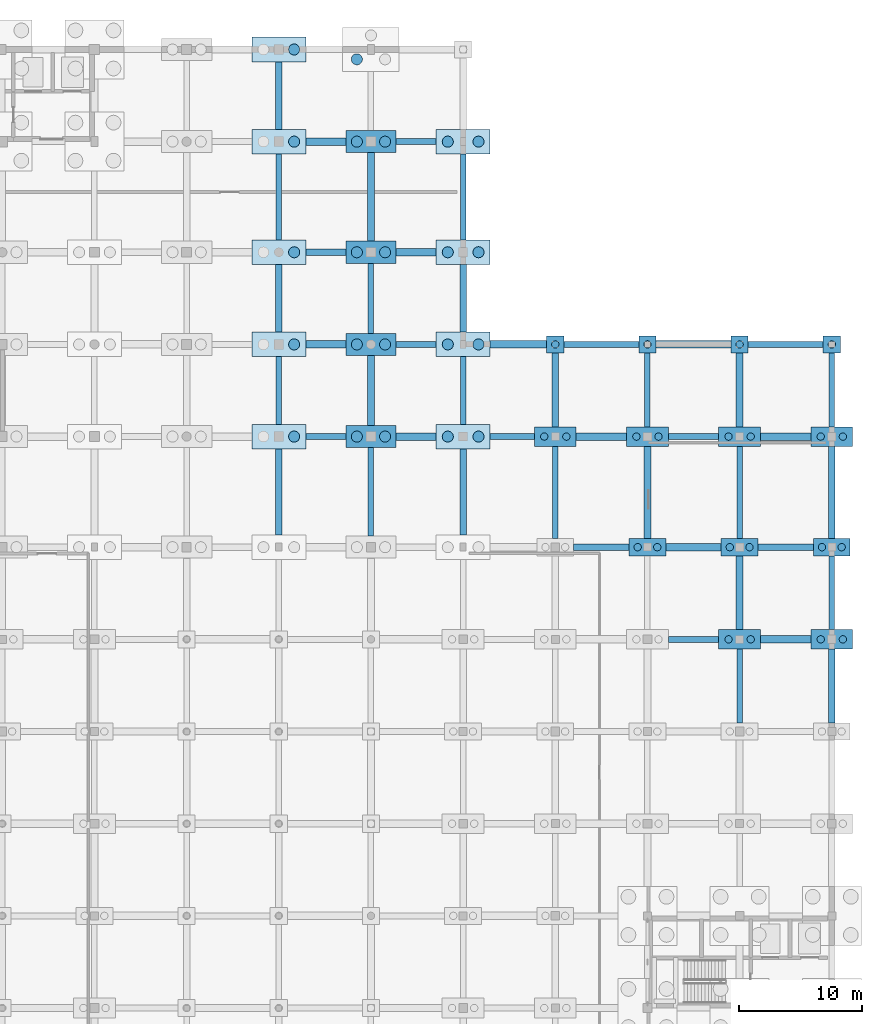
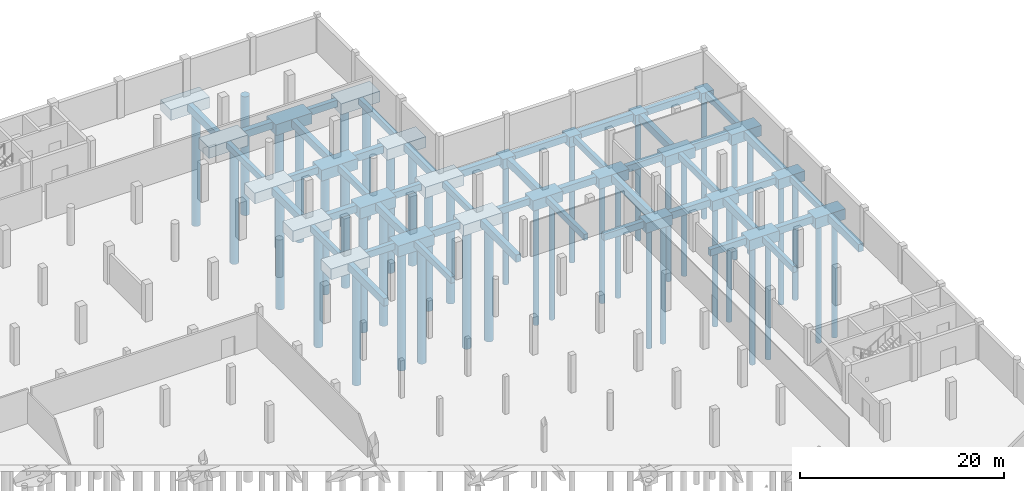
# One storey, part 14 of 42: 72 footings, 44 piles.
"""IFC4 building model written with IfcOpenShell, lengths in metres."""

import ifcopenshell
import ifcopenshell.guid

model = None  # the IFC model being written
_history = None  # IfcOwnerHistory: only IFC2X3 demands one
_inside = {}  # id of a spatial element -> (the spatial element, [elements in it])
_under = {}  # id of a project, library or spatial element -> (it, [spatial elements below it])
_declared = {}  # id of a project -> (the project, [libraries it declares])
_typed = {}  # id of a type object -> (the type object, [elements of that type])
_made_of = {}  # id of a material, layer set ... -> (it, [elements and type objects made of it])


def new_model(schema):
    """Start an empty IFC model of exactly this schema.

    Asked for "IFC4X3", IfcOpenShell would pick the latest addendum, in which some entities
    have other attributes; the version numbers below select the first issue.
    IFC2X3 requires an IfcOwnerHistory on every rooted entity: one is made here for all.
    """
    global model, _history
    if schema == "IFC4X3":
        model = ifcopenshell.file(schema_version=(4, 3, 0, 0))
    else:
        model = ifcopenshell.file(schema=schema)
    _inside.clear()
    _under.clear()
    _declared.clear()
    _typed.clear()
    _made_of.clear()
    _history = None
    if model.schema == "IFC2X3":
        org = make("IfcOrganization", Name="unknown")
        user = make(
            "IfcPersonAndOrganization",
            ThePerson=make("IfcPerson", FamilyName="unknown"),
            TheOrganization=org,
        )
        app = make(
            "IfcApplication",
            ApplicationDeveloper=org,
            Version="unknown",
            ApplicationFullName="unknown",
            ApplicationIdentifier="unknown",
        )
        _history = make(
            "IfcOwnerHistory",
            OwningUser=user,
            OwningApplication=app,
            ChangeAction="ADDED",
            CreationDate=0,
        )
    return model


def make(cls, **values):
    """One entity of the class cls with the attributes given. An attribute that is None is left unset."""
    return model.create_entity(
        cls, **{name: value for name, value in values.items() if value is not None}
    )


def rooted(cls, **values):
    """An entity with a GlobalId (a new one), such as an element, a storey or a relation."""
    return make(cls, GlobalId=ifcopenshell.guid.new(), OwnerHistory=_history, **values)


def si_unit(unit_type, name, prefix=None):
    """IfcSIUnit, for example si_unit("LENGTHUNIT", "METRE", prefix="MILLI")."""
    return make("IfcSIUnit", UnitType=unit_type, Prefix=prefix, Name=name)


def assignment(units):
    """IfcUnitAssignment: the units of a project."""
    return None if units is None else make("IfcUnitAssignment", Units=units)


def point(xyz):
    """IfcCartesianPoint."""
    return None if xyz is None else make("IfcCartesianPoint", Coordinates=xyz)


def direction(xyz):
    """IfcDirection."""
    return None if xyz is None else make("IfcDirection", DirectionRatios=xyz)


def frame(location, z_axis=None, x_axis=None):
    """IfcAxis2Placement3D, a coordinate frame: its origin and axes. An axis left out is left unset."""
    return make(
        "IfcAxis2Placement3D",
        Location=point(location),
        Axis=direction(z_axis),
        RefDirection=direction(x_axis),
    )


def frame_2d(location, x_axis=None):
    """IfcAxis2Placement2D, a coordinate frame in the plane: its origin and x axis."""
    return make(
        "IfcAxis2Placement2D", Location=point(location), RefDirection=direction(x_axis)
    )


def origin():
    """The frame at (0, 0, 0) with its axes left unset."""
    return frame((0.0, 0.0, 0.0))


def origin_2d():
    """The frame at (0, 0) in the plane with its x axis left unset."""
    return frame_2d((0.0, 0.0))


def place(relative_to, where):
    """IfcLocalPlacement: puts the frame where relative to a parent placement (None: the world)."""
    return make(
        "IfcLocalPlacement", PlacementRelTo=relative_to, RelativePlacement=where
    )


def context(
    kind, dimensions, precision=None, world=None, true_north=None, identifier=None
):
    """IfcGeometricRepresentationContext, for example the 3D "Model" context."""
    return make(
        "IfcGeometricRepresentationContext",
        ContextIdentifier=identifier,
        ContextType=kind,
        CoordinateSpaceDimension=dimensions,
        Precision=precision,
        WorldCoordinateSystem=world,
        TrueNorth=true_north,
    )


def subcontext(parent, identifier, kind, view, scale=None):
    """IfcGeometricRepresentationSubContext, for example "Body" below "Model"."""
    return make(
        "IfcGeometricRepresentationSubContext",
        ContextIdentifier=identifier,
        ContextType=kind,
        ParentContext=parent,
        TargetScale=scale,
        TargetView=view,
    )


def project(units=None, contexts=None):
    """IfcProject with its units and contexts."""
    return rooted(
        "IfcProject",
        Name="project",
        RepresentationContexts=contexts,
        UnitsInContext=assignment(units),
    )


def spatial(cls, under=None, at=None, **own):
    """A site, building, storey or space (cls), placed at a placement, below another one or the project."""
    s = rooted(cls, ObjectPlacement=at, **own)
    if under is not None:
        _under.setdefault(under.id(), (under, []))[1].append(s)
    return s


def profile(cls, at=None, kind="AREA", **sizes):
    """A parametric profile (cls). Its sizes go by their IFC names, for example OverallWidth=200.0."""
    return make(cls, ProfileType=kind, Position=at, **sizes)


def rectangle(**sizes):
    """IfcRectangleProfileDef."""
    return profile("IfcRectangleProfileDef", **sizes)


def circle(**sizes):
    """IfcCircleProfileDef."""
    return profile("IfcCircleProfileDef", **sizes)


def extrude(swept, where, along, depth):
    """IfcExtrudedAreaSolid: the profile swept, set in the frame where, extruded along a direction by depth."""
    return make(
        "IfcExtrudedAreaSolid",
        SweptArea=swept,
        Position=where,
        ExtrudedDirection=direction(along),
        Depth=depth,
    )


def shape(context_of_items, identifier, shape_type, items):
    """IfcShapeRepresentation: the items that make up one representation, for example the "Body"."""
    return make(
        "IfcShapeRepresentation",
        ContextOfItems=context_of_items,
        RepresentationIdentifier=identifier,
        RepresentationType=shape_type,
        Items=items,
    )


def material(Name=None, Category=None):
    """IfcMaterial."""
    return make("IfcMaterial", Name=Name, Category=Category)


def material_profile(
    of_material, cross_section, Name=None, Category=None, Priority=None
):
    """IfcMaterialProfile: a cross section and its material."""
    return make(
        "IfcMaterialProfile",
        Name=Name,
        Material=of_material,
        Profile=cross_section,
        Priority=Priority,
        Category=Category,
    )


def profile_set(profiles, Name=None, composite=None):
    """IfcMaterialProfileSet."""
    return make(
        "IfcMaterialProfileSet",
        Name=Name,
        MaterialProfiles=profiles,
        CompositeProfile=composite,
    )


def made_of(thing, what):
    """Note that an element or type object is made of a material, layer set ...; save() writes the relation."""
    if what is not None:
        _made_of.setdefault(what.id(), (what, []))[1].append(thing)
    return thing


def type_object(cls, material=None, **own):
    """A type object (cls), such as IfcWallType, which elements share."""
    return made_of(rooted(cls, **own), material)


def element(
    cls,
    number,
    at=None,
    inside=None,
    cuts=None,
    type_object=None,
    material=None,
    context=None,
    identifier="Body",
    shape_type=None,
    held_by="IfcProductDefinitionShape",
    body=None,
    shapes=None,
    **own,
):
    """One element of the class cls, such as IfcWall. Its Tag is "e" and its number.

    at: its placement. inside: the storey or other place that contains it. cuts: it is an
    opening in that element (IfcRelVoidsElement). A single representation is given by context,
    identifier, shape_type and body (its items); several are given by shapes. held_by: the class
    of the entity that holds the representations. save() writes the other relations.
    """
    e = rooted(cls, Tag="e%d" % number, ObjectPlacement=at, **own)
    if body is not None:
        shapes = [shape(context, identifier, shape_type, body)]
    if shapes is not None:
        e.Representation = make(held_by, Representations=shapes)
    if inside is not None:
        _inside.setdefault(inside.id(), (inside, []))[1].append(e)
    if cuts is not None:
        rooted(
            "IfcRelVoidsElement", RelatingBuildingElement=cuts, RelatedOpeningElement=e
        )
    if type_object is not None:
        _typed.setdefault(type_object.id(), (type_object, []))[1].append(e)
    return made_of(e, material)


def aggregate(whole, parts):
    """IfcRelAggregates: a whole, such as a stair, and the parts it consists of."""
    return rooted("IfcRelAggregates", RelatingObject=whole, RelatedObjects=parts)


def save(model, path):
    """Write the relations noted so far, then the file.

    IfcRelAggregates (storeys below a building ...), IfcRelContainedInSpatialStructure (elements
    in a storey), IfcRelDefinesByType, IfcRelAssociatesMaterial and IfcRelDeclares: one each for
    every whole, place, type object, material and project.
    """
    for whole, parts in _under.values():
        aggregate(whole, parts)
    for where, things in _inside.values():
        rooted(
            "IfcRelContainedInSpatialStructure",
            RelatedElements=things,
            RelatingStructure=where,
        )
    for kind, things in _typed.values():
        rooted("IfcRelDefinesByType", RelatedObjects=things, RelatingType=kind)
    for what, things in _made_of.values():
        rooted("IfcRelAssociatesMaterial", RelatedObjects=things, RelatingMaterial=what)
    for by, libraries in _declared.values():
        rooted("IfcRelDeclares", RelatingContext=by, RelatedDefinitions=libraries)
    model.write(path)


model = new_model("IFC4")

# Units and contexts
model_context = context("Model", 3, precision=1e-05, world=origin(), true_north=direction((0.0, 1.0)))
body_context = subcontext(model_context, "Body", "Model", "MODEL_VIEW")
ifc_project = project(units=[si_unit("LENGTHUNIT", "METRE"), si_unit("AREAUNIT", "SQUARE_METRE"), si_unit("VOLUMEUNIT", "CUBIC_METRE"), si_unit("PLANEANGLEUNIT", "RADIAN"), si_unit("MASSUNIT", "GRAM", prefix="KILO")], contexts=[model_context])

# Site, building, storey
site_placement = place(None, origin())
site = spatial("IfcSite", under=ifc_project, at=site_placement, CompositionType="ELEMENT")
building_placement = place(site_placement, origin())
building = spatial("IfcBuilding", under=site, at=building_placement, Name="Dalvernix Boulevard General Hospital", CompositionType="ELEMENT")
storey_placement = place(building_placement, frame((0.0, 0.0, -4.5)))
storey = spatial("IfcBuildingStorey", under=building, at=storey_placement, Name="B1", CompositionType="ELEMENT", Elevation=-4.5)

# Footings
ifc_material_1 = material(Name="Concrete C35/45", Category="concrete")
footing_type_1 = type_object("IfcFootingType", Name="FTG-GB-01", PredefinedType="FOOTING_BEAM", material=ifc_material_1)
footing_1_placement = place(storey_placement, frame((161.25, 69.0, -1.2998046875), z_axis=(0.0, 0.0, 1.0), x_axis=(1.0, 0.0, 0.0)))
element("IfcFooting", 1, at=footing_1_placement, inside=storey, type_object=footing_type_1, Name="Ground beam K:22-23", PredefinedType="FOOTING_BEAM", context=body_context, shape_type="SweptSolid", body=[
    extrude(rectangle(XDim=4.10009765625, YDim=0.5, at=origin_2d()), origin(), (0.0, 0.0, 1.0), 0.800048828125),
])
for number, where, z_axis, x_axis, name in (
    (2, (153.75, 76.5, -1.2998046875), (0.0, 0.0, 1.0), (1.0, 0.0, 0.0), "Ground beam L:21-22"),
    (3, (168.75, 76.5, -1.2998046875), (0.0, 0.0, 1.0), (1.0, 0.0, 0.0), "Ground beam L:23-24"),
):
    element("IfcFooting", number, at=place(storey_placement, frame(where, z_axis=z_axis, x_axis=x_axis)), inside=storey, type_object=footing_type_1, Name=name, PredefinedType="FOOTING_BEAM", context=body_context, shape_type="SweptSolid", body=[
        extrude(rectangle(XDim=4.5, YDim=0.5, at=origin_2d()), origin(), (0.0, 0.0, 1.0), 0.800048828125),
    ])
footing_2_placement = place(storey_placement, frame((131.324951171875, 85.5, -1.2998046875), z_axis=(0.0, 0.0, 1.0), x_axis=(1.0, 0.0, 0.0)))
element("IfcFooting", 4, at=footing_2_placement, inside=storey, type_object=footing_type_1, Name="Ground beam M:18-19", PredefinedType="FOOTING_BEAM", context=body_context, shape_type="SweptSolid", body=[
    extrude(rectangle(XDim=3.25, YDim=0.5, at=origin_2d()), origin(), (0.0, 0.0, 1.0), 0.800048828125),
])
footing_3_placement = place(storey_placement, frame((146.5, 85.5, -1.2998046875), z_axis=(0.0, 0.0, 1.0), x_axis=(1.0, 0.0, 0.0)))
element("IfcFooting", 5, at=footing_3_placement, inside=storey, type_object=footing_type_1, Name="Ground beam M:20-21", PredefinedType="FOOTING_BEAM", context=body_context, shape_type="SweptSolid", body=[
    extrude(rectangle(XDim=3.60009765625, YDim=0.5, at=origin_2d()), origin(), (0.0, 0.0, 1.0), 0.800048828125),
])
footing_4_placement = place(storey_placement, frame((161.25, 85.5, -1.2998046875), z_axis=(0.0, 0.0, 1.0), x_axis=(1.0, 0.0, 0.0)))
element("IfcFooting", 6, at=footing_4_placement, inside=storey, type_object=footing_type_1, Name="Ground beam M:22-23", PredefinedType="FOOTING_BEAM", context=body_context, shape_type="SweptSolid", body=[
    extrude(rectangle(XDim=4.10009765625, YDim=0.5, at=origin_2d()), origin(), (0.0, 0.0, 1.0), 0.800048828125),
])
footing_5_placement = place(storey_placement, frame((138.675048828125, 93.0, -1.2998046875), z_axis=(0.0, 0.0, 1.0), x_axis=(1.0, 0.0, 0.0)))
element("IfcFooting", 7, at=footing_5_placement, inside=storey, type_object=footing_type_1, Name="Ground beam N:19-20", PredefinedType="FOOTING_BEAM", context=body_context, shape_type="SweptSolid", body=[
    extrude(rectangle(XDim=3.25, YDim=0.5, at=origin_2d()), origin(), (0.0, 0.0, 1.0), 0.800048828125),
])
for number, where, z_axis, x_axis, name in (
    (8, (153.75, 93.0, -1.2998046875), (0.0, 0.0, 1.0), (1.0, 0.0, 0.0), "Ground beam N:21-22"),
    (9, (168.75, 93.0, -1.2998046875), (0.0, 0.0, 1.0), (1.0, 0.0, 0.0), "Ground beam N:23-24"),
):
    element("IfcFooting", number, at=place(storey_placement, frame(where, z_axis=z_axis, x_axis=x_axis)), inside=storey, type_object=footing_type_1, Name=name, PredefinedType="FOOTING_BEAM", context=body_context, shape_type="SweptSolid", body=[
        extrude(rectangle(XDim=6.10009765625, YDim=0.5, at=origin_2d()), origin(), (0.0, 0.0, 1.0), 0.800048828125),
    ])
for number, where, z_axis, x_axis, name in (
    (10, (131.324951171875, 100.5, -1.2998046875), (0.0, 0.0, 1.0), (1.0, 0.0, 0.0), "Ground beam P:18-19"),
    (11, (138.675048828125, 109.5, -1.2998046875), (0.0, 0.0, 1.0), (1.0, 0.0, 0.0), "Ground beam Q:19-20"),
):
    element("IfcFooting", number, at=place(storey_placement, frame(where, z_axis=z_axis, x_axis=x_axis)), inside=storey, type_object=footing_type_1, Name=name, PredefinedType="FOOTING_BEAM", context=body_context, shape_type="SweptSolid", body=[
        extrude(rectangle(XDim=3.25, YDim=0.5, at=origin_2d()), origin(), (0.0, 0.0, 1.0), 0.800048828125),
    ])
footing_type_2 = type_object("IfcFootingType", Name="FTG-GB-02", PredefinedType="FOOTING_BEAM", material=ifc_material_1)
footing_6_placement = place(storey_placement, frame((168.75, 69.0, -1.35009765625), z_axis=(0.0, 0.0, 1.0), x_axis=(1.0, 0.0, 0.0)))
element("IfcFooting", 12, at=footing_6_placement, inside=storey, type_object=footing_type_2, Name="Ground beam K:23-24", PredefinedType="FOOTING_BEAM", context=body_context, shape_type="SweptSolid", body=[
    extrude(rectangle(XDim=4.10009765625, YDim=0.60009765625, at=origin_2d()), origin(), (0.0, 0.0, 1.0), 0.85009765625),
])
footing_7_placement = place(storey_placement, frame((161.25, 76.5, -1.35009765625), z_axis=(0.0, 0.0, 1.0), x_axis=(1.0, 0.0, 0.0)))
element("IfcFooting", 13, at=footing_7_placement, inside=storey, type_object=footing_type_2, Name="Ground beam L:22-23", PredefinedType="FOOTING_BEAM", context=body_context, shape_type="SweptSolid", body=[
    extrude(rectangle(XDim=4.5, YDim=0.60009765625, at=origin_2d()), origin(), (0.0, 0.0, 1.0), 0.85009765625),
])
footing_8_placement = place(storey_placement, frame((138.675048828125, 85.5, -1.35009765625), z_axis=(0.0, 0.0, 1.0), x_axis=(1.0, 0.0, 0.0)))
element("IfcFooting", 14, at=footing_8_placement, inside=storey, type_object=footing_type_2, Name="Ground beam M:19-20", PredefinedType="FOOTING_BEAM", context=body_context, shape_type="SweptSolid", body=[
    extrude(rectangle(XDim=3.25, YDim=0.60009765625, at=origin_2d()), origin(), (0.0, 0.0, 1.0), 0.85009765625),
])
for number, where, z_axis, x_axis, name in (
    (15, (153.75, 85.5, -1.35009765625), (0.0, 0.0, 1.0), (1.0, 0.0, 0.0), "Ground beam M:21-22"),
    (16, (168.75, 85.5, -1.35009765625), (0.0, 0.0, 1.0), (1.0, 0.0, 0.0), "Ground beam M:23-24"),
):
    element("IfcFooting", number, at=place(storey_placement, frame(where, z_axis=z_axis, x_axis=x_axis)), inside=storey, type_object=footing_type_2, Name=name, PredefinedType="FOOTING_BEAM", context=body_context, shape_type="SweptSolid", body=[
        extrude(rectangle(XDim=4.10009765625, YDim=0.60009765625, at=origin_2d()), origin(), (0.0, 0.0, 1.0), 0.85009765625),
    ])
footing_9_placement = place(storey_placement, frame((131.324951171875, 93.0, -1.35009765625), z_axis=(0.0, 0.0, 1.0), x_axis=(1.0, 0.0, 0.0)))
element("IfcFooting", 17, at=footing_9_placement, inside=storey, type_object=footing_type_2, Name="Ground beam N:18-19", PredefinedType="FOOTING_BEAM", context=body_context, shape_type="SweptSolid", body=[
    extrude(rectangle(XDim=3.25, YDim=0.60009765625, at=origin_2d()), origin(), (0.0, 0.0, 1.0), 0.85009765625),
])
footing_10_placement = place(storey_placement, frame((147.0, 93.0, -1.35009765625), z_axis=(0.0, 0.0, 1.0), x_axis=(1.0, 0.0, 0.0)))
element("IfcFooting", 18, at=footing_10_placement, inside=storey, type_object=footing_type_2, Name="Ground beam N:20-21", PredefinedType="FOOTING_BEAM", context=body_context, shape_type="SweptSolid", body=[
    extrude(rectangle(XDim=4.60009765625, YDim=0.60009765625, at=origin_2d()), origin(), (0.0, 0.0, 1.0), 0.85009765625),
])
footing_11_placement = place(storey_placement, frame((161.25, 93.0, -1.35009765625), z_axis=(0.0, 0.0, 1.0), x_axis=(1.0, 0.0, 0.0)))
element("IfcFooting", 19, at=footing_11_placement, inside=storey, type_object=footing_type_2, Name="Ground beam N:22-23", PredefinedType="FOOTING_BEAM", context=body_context, shape_type="SweptSolid", body=[
    extrude(rectangle(XDim=6.10009765625, YDim=0.60009765625, at=origin_2d()), origin(), (0.0, 0.0, 1.0), 0.85009765625),
])
for number, where, z_axis, x_axis, name in (
    (20, (138.675048828125, 100.5, -1.35009765625), (0.0, 0.0, 1.0), (1.0, 0.0, 0.0), "Ground beam P:19-20"),
    (21, (131.324951171875, 109.5, -1.35009765625), (0.0, 0.0, 1.0), (1.0, 0.0, 0.0), "Ground beam Q:18-19"),
):
    element("IfcFooting", number, at=place(storey_placement, frame(where, z_axis=z_axis, x_axis=x_axis)), inside=storey, type_object=footing_type_2, Name=name, PredefinedType="FOOTING_BEAM", context=body_context, shape_type="SweptSolid", body=[
        extrude(rectangle(XDim=3.25, YDim=0.60009765625, at=origin_2d()), origin(), (0.0, 0.0, 1.0), 0.85009765625),
    ])
footing_type_3 = type_object("IfcFootingType", Name="FTG-GB-03", PredefinedType="FOOTING_BEAM", material=ifc_material_1)
footing_12_placement = place(storey_placement, frame((127.5, 89.25, -1.25), z_axis=(0.0, 0.0, 1.0), x_axis=(0.0, 1.0, 0.0)))
element("IfcFooting", 22, at=footing_12_placement, inside=storey, type_object=footing_type_3, Name="Ground beam 18:M-N", PredefinedType="FOOTING_BEAM", context=body_context, shape_type="SweptSolid", body=[
    extrude(rectangle(XDim=5.5, YDim=0.449951171875, at=origin_2d()), origin(), (0.0, 0.0, 1.0), 0.75),
])
footing_13_placement = place(storey_placement, frame((127.5, 105.0, -1.25), z_axis=(0.0, 0.0, 1.0), x_axis=(0.0, 1.0, 0.0)))
element("IfcFooting", 23, at=footing_13_placement, inside=storey, type_object=footing_type_3, Name="Ground beam 18:P-Q", PredefinedType="FOOTING_BEAM", context=body_context, shape_type="SweptSolid", body=[
    extrude(rectangle(XDim=7.0, YDim=0.449951171875, at=origin_2d()), origin(), (0.0, 0.0, 1.0), 0.75),
])
footing_14_placement = place(storey_placement, frame((135.0, 81.0, -1.25), z_axis=(0.0, 0.0, 1.0), x_axis=(0.0, 1.0, 0.0)))
element("IfcFooting", 24, at=footing_14_placement, inside=storey, type_object=footing_type_3, Name="Ground beam 19:L-M", PredefinedType="FOOTING_BEAM", context=body_context, shape_type="SweptSolid", body=[
    extrude(rectangle(XDim=7.199951171875, YDim=0.449951171875, at=origin_2d()), origin(), (0.0, 0.0, 1.0), 0.75),
])
footing_15_placement = place(storey_placement, frame((135.0, 96.75, -1.25), z_axis=(0.0, 0.0, 1.0), x_axis=(0.0, 1.0, 0.0)))
element("IfcFooting", 25, at=footing_15_placement, inside=storey, type_object=footing_type_3, Name="Ground beam 19:N-P", PredefinedType="FOOTING_BEAM", context=body_context, shape_type="SweptSolid", body=[
    extrude(rectangle(XDim=5.699951171875, YDim=0.449951171875, at=origin_2d()), origin(), (0.0, 0.0, 1.0), 0.75),
])
footing_16_placement = place(storey_placement, frame((142.5, 89.25, -1.25), z_axis=(0.0, 0.0, 1.0), x_axis=(0.0, 1.0, 0.0)))
element("IfcFooting", 26, at=footing_16_placement, inside=storey, type_object=footing_type_3, Name="Ground beam 20:M-N", PredefinedType="FOOTING_BEAM", context=body_context, shape_type="SweptSolid", body=[
    extrude(rectangle(XDim=5.5, YDim=0.449951171875, at=origin_2d()), origin(), (0.0, 0.0, 1.0), 0.75),
])
footing_17_placement = place(storey_placement, frame((142.5, 105.0, -1.25), z_axis=(0.0, 0.0, 1.0), x_axis=(0.0, 1.0, 0.0)))
element("IfcFooting", 27, at=footing_17_placement, inside=storey, type_object=footing_type_3, Name="Ground beam 20:P-Q", PredefinedType="FOOTING_BEAM", context=body_context, shape_type="SweptSolid", body=[
    extrude(rectangle(XDim=7.0, YDim=0.449951171875, at=origin_2d()), origin(), (0.0, 0.0, 1.0), 0.75),
])
footing_18_placement = place(storey_placement, frame((150.0, 80.949951171875, -1.25), z_axis=(0.0, 0.0, 1.0), x_axis=(0.0, 1.0, 0.0)))
element("IfcFooting", 28, at=footing_18_placement, inside=storey, type_object=footing_type_3, Name="Ground beam 21:L-M", PredefinedType="FOOTING_BEAM", context=body_context, shape_type="SweptSolid", body=[
    extrude(rectangle(XDim=7.5, YDim=0.449951171875, at=origin_2d()), origin(), (0.0, 0.0, 1.0), 0.75),
])
for number, where, z_axis, x_axis, name in (
    (29, (157.5, 89.300048828125, -1.25), (0.0, 0.0, 1.0), (0.0, 1.0, 0.0), "Ground beam 22:M-N"),
    (30, (165.0, 65.199951171875, -1.25), (0.0, 0.0, 1.0), (0.0, 1.0, 0.0), "Ground beam 23:J-K"),
):
    element("IfcFooting", number, at=place(storey_placement, frame(where, z_axis=z_axis, x_axis=x_axis)), inside=storey, type_object=footing_type_3, Name=name, PredefinedType="FOOTING_BEAM", context=body_context, shape_type="SweptSolid", body=[
        extrude(rectangle(XDim=6.0, YDim=0.449951171875, at=origin_2d()), origin(), (0.0, 0.0, 1.0), 0.75),
    ])
footing_19_placement = place(storey_placement, frame((165.0, 80.949951171875, -1.25), z_axis=(0.0, 0.0, 1.0), x_axis=(0.0, 1.0, 0.0)))
element("IfcFooting", 31, at=footing_19_placement, inside=storey, type_object=footing_type_3, Name="Ground beam 23:L-M", PredefinedType="FOOTING_BEAM", context=body_context, shape_type="SweptSolid", body=[
    extrude(rectangle(XDim=7.5, YDim=0.449951171875, at=origin_2d()), origin(), (0.0, 0.0, 1.0), 0.75),
])
for number, where, z_axis, x_axis, name in (
    (32, (172.5, 72.800048828125, -1.25), (0.0, 0.0, 1.0), (0.0, 1.0, 0.0), "Ground beam 24:K-L"),
    (33, (172.5, 89.300048828125, -1.25), (0.0, 0.0, 1.0), (0.0, 1.0, 0.0), "Ground beam 24:M-N"),
):
    element("IfcFooting", number, at=place(storey_placement, frame(where, z_axis=z_axis, x_axis=x_axis)), inside=storey, type_object=footing_type_3, Name=name, PredefinedType="FOOTING_BEAM", context=body_context, shape_type="SweptSolid", body=[
        extrude(rectangle(XDim=6.0, YDim=0.449951171875, at=origin_2d()), origin(), (0.0, 0.0, 1.0), 0.75),
    ])
footing_type_4 = type_object("IfcFootingType", Name="FTG-GB-04", PredefinedType="FOOTING_BEAM", material=ifc_material_1)
footing_20_placement = place(storey_placement, frame((127.5, 81.0, -1.39990234375), z_axis=(0.0, 0.0, 1.0), x_axis=(0.0, 1.0, 0.0)))
element("IfcFooting", 34, at=footing_20_placement, inside=storey, type_object=footing_type_4, Name="Ground beam 18:L-M", PredefinedType="FOOTING_BEAM", context=body_context, shape_type="SweptSolid", body=[
    extrude(rectangle(XDim=7.0, YDim=0.550048828125, at=origin_2d()), origin(), (0.0, 0.0, 1.0), 0.89990234375),
])
for number, where, z_axis, x_axis, name in (
    (35, (127.5, 96.75, -1.39990234375), (0.0, 0.0, 1.0), (0.0, 1.0, 0.0), "Ground beam 18:N-P"),
    (36, (127.5, 113.25, -1.39990234375), (0.0, 0.0, 1.0), (0.0, 1.0, 0.0), "Ground beam 18:Q-R"),
):
    element("IfcFooting", number, at=place(storey_placement, frame(where, z_axis=z_axis, x_axis=x_axis)), inside=storey, type_object=footing_type_4, Name=name, PredefinedType="FOOTING_BEAM", context=body_context, shape_type="SweptSolid", body=[
        extrude(rectangle(XDim=5.5, YDim=0.550048828125, at=origin_2d()), origin(), (0.0, 0.0, 1.0), 0.89990234375),
    ])
footing_21_placement = place(storey_placement, frame((135.0, 89.25, -1.39990234375), z_axis=(0.0, 0.0, 1.0), x_axis=(0.0, 1.0, 0.0)))
element("IfcFooting", 37, at=footing_21_placement, inside=storey, type_object=footing_type_4, Name="Ground beam 19:M-N", PredefinedType="FOOTING_BEAM", context=body_context, shape_type="SweptSolid", body=[
    extrude(rectangle(XDim=5.699951171875, YDim=0.550048828125, at=origin_2d()), origin(), (0.0, 0.0, 1.0), 0.89990234375),
])
footing_22_placement = place(storey_placement, frame((135.0, 105.0, -1.39990234375), z_axis=(0.0, 0.0, 1.0), x_axis=(0.0, 1.0, 0.0)))
element("IfcFooting", 38, at=footing_22_placement, inside=storey, type_object=footing_type_4, Name="Ground beam 19:P-Q", PredefinedType="FOOTING_BEAM", context=body_context, shape_type="SweptSolid", body=[
    extrude(rectangle(XDim=7.199951171875, YDim=0.550048828125, at=origin_2d()), origin(), (0.0, 0.0, 1.0), 0.89990234375),
])
footing_23_placement = place(storey_placement, frame((142.5, 81.0, -1.39990234375), z_axis=(0.0, 0.0, 1.0), x_axis=(0.0, 1.0, 0.0)))
element("IfcFooting", 39, at=footing_23_placement, inside=storey, type_object=footing_type_4, Name="Ground beam 20:L-M", PredefinedType="FOOTING_BEAM", context=body_context, shape_type="SweptSolid", body=[
    extrude(rectangle(XDim=7.0, YDim=0.550048828125, at=origin_2d()), origin(), (0.0, 0.0, 1.0), 0.89990234375),
])
footing_24_placement = place(storey_placement, frame((142.5, 96.75, -1.39990234375), z_axis=(0.0, 0.0, 1.0), x_axis=(0.0, 1.0, 0.0)))
element("IfcFooting", 40, at=footing_24_placement, inside=storey, type_object=footing_type_4, Name="Ground beam 20:N-P", PredefinedType="FOOTING_BEAM", context=body_context, shape_type="SweptSolid", body=[
    extrude(rectangle(XDim=5.5, YDim=0.550048828125, at=origin_2d()), origin(), (0.0, 0.0, 1.0), 0.89990234375),
])
footing_25_placement = place(storey_placement, frame((150.0, 89.300048828125, -1.39990234375), z_axis=(0.0, 0.0, 1.0), x_axis=(0.0, 1.0, 0.0)))
element("IfcFooting", 41, at=footing_25_placement, inside=storey, type_object=footing_type_4, Name="Ground beam 21:M-N", PredefinedType="FOOTING_BEAM", context=body_context, shape_type="SweptSolid", body=[
    extrude(rectangle(XDim=6.0, YDim=0.550048828125, at=origin_2d()), origin(), (0.0, 0.0, 1.0), 0.89990234375),
])
footing_26_placement = place(storey_placement, frame((157.5, 80.949951171875, -1.39990234375), z_axis=(0.0, 0.0, 1.0), x_axis=(0.0, 1.0, 0.0)))
element("IfcFooting", 42, at=footing_26_placement, inside=storey, type_object=footing_type_4, Name="Ground beam 22:L-M", PredefinedType="FOOTING_BEAM", context=body_context, shape_type="SweptSolid", body=[
    extrude(rectangle(XDim=7.5, YDim=0.550048828125, at=origin_2d()), origin(), (0.0, 0.0, 1.0), 0.89990234375),
])
for number, where, z_axis, x_axis, name in (
    (43, (165.0, 72.800048828125, -1.39990234375), (0.0, 0.0, 1.0), (0.0, 1.0, 0.0), "Ground beam 23:K-L"),
    (44, (165.0, 89.300048828125, -1.39990234375), (0.0, 0.0, 1.0), (0.0, 1.0, 0.0), "Ground beam 23:M-N"),
    (45, (172.5, 65.199951171875, -1.39990234375), (0.0, 0.0, 1.0), (0.0, 1.0, 0.0), "Ground beam 24:J-K"),
):
    element("IfcFooting", number, at=place(storey_placement, frame(where, z_axis=z_axis, x_axis=x_axis)), inside=storey, type_object=footing_type_4, Name=name, PredefinedType="FOOTING_BEAM", context=body_context, shape_type="SweptSolid", body=[
        extrude(rectangle(XDim=6.0, YDim=0.550048828125, at=origin_2d()), origin(), (0.0, 0.0, 1.0), 0.89990234375),
    ])
footing_27_placement = place(storey_placement, frame((172.5, 80.949951171875, -1.39990234375), z_axis=(0.0, 0.0, 1.0), x_axis=(0.0, 1.0, 0.0)))
element("IfcFooting", 46, at=footing_27_placement, inside=storey, type_object=footing_type_4, Name="Ground beam 24:L-M", PredefinedType="FOOTING_BEAM", context=body_context, shape_type="SweptSolid", body=[
    extrude(rectangle(XDim=7.5, YDim=0.550048828125, at=origin_2d()), origin(), (0.0, 0.0, 1.0), 0.89990234375),
])
ifc_material_2 = material(Name="Concrete C40/50", Category="concrete")
footing_type_5 = type_object("IfcFootingType", Name="FTG-PC-01", PredefinedType="PILE_CAP", material=ifc_material_2)
for number, where, z_axis, x_axis, name in (
    (47, (150.0, 93.0, -1.7001953125), (0.0, 0.0, 1.0), (1.0, 0.0, 0.0), "Pile cap 21N"),
    (48, (157.5, 93.0, -1.7001953125), (0.0, 0.0, 1.0), (1.0, 0.0, 0.0), "Pile cap 22N"),
    (49, (165.0, 93.0, -1.7001953125), (0.0, 0.0, 1.0), (1.0, 0.0, 0.0), "Pile cap 23N"),
    (50, (172.5, 93.0, -1.7001953125), (0.0, 0.0, 1.0), (1.0, 0.0, 0.0), "Pile cap 24N"),
):
    element("IfcFooting", number, at=place(storey_placement, frame(where, z_axis=z_axis, x_axis=x_axis)), inside=storey, type_object=footing_type_5, Name=name, PredefinedType="PILE_CAP", context=body_context, shape_type="SweptSolid", body=[
        extrude(rectangle(XDim=1.39990234375, YDim=1.39990234375, at=origin_2d()), origin(), (0.0, 0.0, 1.0), 1.199951171875),
    ])
footing_type_6 = type_object("IfcFootingType", Name="FTG-PC-02", PredefinedType="PILE_CAP", material=ifc_material_2)
for number, where, z_axis, x_axis, name in (
    (51, (157.5, 76.5, -1.7001953125), (0.0, 0.0, 1.0), (1.0, 0.0, 0.0), "Pile cap 22L"),
    (52, (165.0, 76.5, -1.7001953125), (0.0, 0.0, 1.0), (1.0, 0.0, 0.0), "Pile cap 23L"),
    (53, (172.5, 76.5, -1.7001953125), (0.0, 0.0, 1.0), (1.0, 0.0, 0.0), "Pile cap 24L"),
):
    element("IfcFooting", number, at=place(storey_placement, frame(where, z_axis=z_axis, x_axis=x_axis)), inside=storey, type_object=footing_type_6, Name=name, PredefinedType="PILE_CAP", context=body_context, shape_type="SweptSolid", body=[
        extrude(rectangle(XDim=3.0, YDim=1.39990234375, at=origin_2d()), origin(), (0.0, 0.0, 1.0), 1.199951171875),
    ])
footing_type_7 = type_object("IfcFootingType", Name="FTG-PC-03", PredefinedType="PILE_CAP", material=ifc_material_2)
for number, where, z_axis, x_axis, name in (
    (54, (150.0, 85.5, -1.75), (0.0, 0.0, 1.0), (1.0, 0.0, 0.0), "Pile cap 21M"),
    (55, (157.5, 85.5, -1.75), (0.0, 0.0, 1.0), (1.0, 0.0, 0.0), "Pile cap 22M"),
    (56, (165.0, 69.0, -1.75), (0.0, 0.0, 1.0), (1.0, 0.0, 0.0), "Pile cap 23K"),
    (57, (165.0, 85.5, -1.75), (0.0, 0.0, 1.0), (1.0, 0.0, 0.0), "Pile cap 23M"),
    (58, (172.5, 69.0, -1.75), (0.0, 0.0, 1.0), (1.0, 0.0, 0.0), "Pile cap 24K"),
    (59, (172.5, 85.5, -1.75), (0.0, 0.0, 1.0), (1.0, 0.0, 0.0), "Pile cap 24M"),
):
    element("IfcFooting", number, at=place(storey_placement, frame(where, z_axis=z_axis, x_axis=x_axis)), inside=storey, type_object=footing_type_7, Name=name, PredefinedType="PILE_CAP", context=body_context, shape_type="SweptSolid", body=[
        extrude(rectangle(XDim=3.39990234375, YDim=1.60009765625, at=origin_2d()), origin(), (0.0, 0.0, 1.0), 1.25),
    ])
footing_type_8 = type_object("IfcFootingType", Name="FTG-PC-04", PredefinedType="PILE_CAP", material=ifc_material_2)
for number, where, z_axis, x_axis, name in (
    (60, (135.0, 85.5, -1.7998046875), (0.0, 0.0, 1.0), (1.0, 0.0, 0.0), "Pile cap 19M"),
    (61, (135.0, 93.0, -1.7998046875), (0.0, 0.0, 1.0), (1.0, 0.0, 0.0), "Pile cap 19N"),
    (62, (135.0, 100.5, -1.7998046875), (0.0, 0.0, 1.0), (1.0, 0.0, 0.0), "Pile cap 19P"),
    (63, (135.0, 109.5, -1.7998046875), (0.0, 0.0, 1.0), (1.0, 0.0, 0.0), "Pile cap 19Q"),
):
    element("IfcFooting", number, at=place(storey_placement, frame(where, z_axis=z_axis, x_axis=x_axis)), inside=storey, type_object=footing_type_8, Name=name, PredefinedType="PILE_CAP", context=body_context, shape_type="SweptSolid", body=[
        extrude(rectangle(XDim=4.10009765625, YDim=1.800048828125, at=origin_2d()), origin(), (0.0, 0.0, 1.0), 1.300048828125),
    ])
footing_type_9 = type_object("IfcFootingType", Name="FTG-PC-05", PredefinedType="PILE_CAP", material=ifc_material_2)
for number, where, z_axis, x_axis, name in (
    (64, (127.5, 85.5, -1.7998046875), (0.0, 0.0, 1.0), (1.0, 0.0, 0.0), "Pile cap 18M"),
    (65, (127.5, 93.0, -1.7998046875), (0.0, 0.0, 1.0), (1.0, 0.0, 0.0), "Pile cap 18N"),
    (66, (127.5, 100.5, -1.7998046875), (0.0, 0.0, 1.0), (1.0, 0.0, 0.0), "Pile cap 18P"),
    (67, (127.5, 109.5, -1.7998046875), (0.0, 0.0, 1.0), (1.0, 0.0, 0.0), "Pile cap 18Q"),
    (68, (127.5, 117.0, -1.7998046875), (0.0, 0.0, 1.0), (1.0, 0.0, 0.0), "Pile cap 18R"),
    (69, (142.5, 85.5, -1.7998046875), (0.0, 0.0, 1.0), (1.0, 0.0, 0.0), "Pile cap 20M"),
    (70, (142.5, 93.0, -1.7998046875), (0.0, 0.0, 1.0), (1.0, 0.0, 0.0), "Pile cap 20N"),
    (71, (142.5, 100.5, -1.7998046875), (0.0, 0.0, 1.0), (1.0, 0.0, 0.0), "Pile cap 20P"),
    (72, (142.5, 109.5, -1.7998046875), (0.0, 0.0, 1.0), (1.0, 0.0, 0.0), "Pile cap 20Q"),
):
    element("IfcFooting", number, at=place(storey_placement, frame(where, z_axis=z_axis, x_axis=x_axis)), inside=storey, type_object=footing_type_9, Name=name, PredefinedType="PILE_CAP", context=body_context, shape_type="SweptSolid", body=[
        extrude(rectangle(XDim=4.39990234375, YDim=2.0, at=origin_2d()), origin(), (0.0, 0.0, 1.0), 1.300048828125),
    ])

# Piles
ifc_material_profile_1 = material_profile(ifc_material_1, circle(Radius=0.300048828125, at=origin_2d()), Name="BORED PILE D600")
ifc_profile_set_1 = profile_set([ifc_material_profile_1], Name="Concrete C35/45")
pile_type_1 = type_object("IfcPileType", Name="PILE-PL-01", PredefinedType="BORED", material=ifc_profile_set_1)
for number, where, z_axis, x_axis, name in (
    (73, (149.10009765625, 85.5, -1.64990234375), (0.0, 0.0, -1.0), (1.0, 0.0, 0.0), "Bored pile 21M-1"),
    (74, (150.89990234375, 85.5, -1.64990234375), (0.0, 0.0, -1.0), (1.0, 0.0, 0.0), "Bored pile 21M-2"),
):
    element("IfcPile", number, at=place(storey_placement, frame(where, z_axis=z_axis, x_axis=x_axis)), inside=storey, type_object=pile_type_1, Name=name, PredefinedType="BORED", context=body_context, shape_type="SweptSolid", body=[
        extrude(circle(Radius=0.300048828125, at=origin_2d()), origin(), (0.0, 0.0, 1.0), 14.35009765625),
    ])
for number, where, z_axis, x_axis, name in (
    (75, (150.0, 93.0, -1.60009765625), (0.0, 0.0, -1.0), (1.0, 0.0, 0.0), "Bored pile 21N-1"),
    (76, (156.699951171875, 76.5, -1.60009765625), (0.0, 0.0, -1.0), (1.0, 0.0, 0.0), "Bored pile 22L-1"),
    (77, (158.300048828125, 76.5, -1.60009765625), (0.0, 0.0, -1.0), (1.0, 0.0, 0.0), "Bored pile 22L-2"),
):
    element("IfcPile", number, at=place(storey_placement, frame(where, z_axis=z_axis, x_axis=x_axis)), inside=storey, type_object=pile_type_1, Name=name, PredefinedType="BORED", context=body_context, shape_type="SweptSolid", body=[
        extrude(circle(Radius=0.300048828125, at=origin_2d()), origin(), (0.0, 0.0, 1.0), 14.39990234375),
    ])
for number, where, z_axis, x_axis, name in (
    (78, (156.60009765625, 85.5, -1.64990234375), (0.0, 0.0, -1.0), (1.0, 0.0, 0.0), "Bored pile 22M-1"),
    (79, (158.39990234375, 85.5, -1.64990234375), (0.0, 0.0, -1.0), (1.0, 0.0, 0.0), "Bored pile 22M-2"),
):
    element("IfcPile", number, at=place(storey_placement, frame(where, z_axis=z_axis, x_axis=x_axis)), inside=storey, type_object=pile_type_1, Name=name, PredefinedType="BORED", context=body_context, shape_type="SweptSolid", body=[
        extrude(circle(Radius=0.300048828125, at=origin_2d()), origin(), (0.0, 0.0, 1.0), 14.35009765625),
    ])
pile_1_placement = place(storey_placement, frame((157.5, 93.0, -1.60009765625), z_axis=(0.0, 0.0, -1.0), x_axis=(1.0, 0.0, 0.0)))
element("IfcPile", 80, at=pile_1_placement, inside=storey, type_object=pile_type_1, Name="Bored pile 22N-1", PredefinedType="BORED", context=body_context, shape_type="SweptSolid", body=[
    extrude(circle(Radius=0.300048828125, at=origin_2d()), origin(), (0.0, 0.0, 1.0), 14.39990234375),
])
for number, where, z_axis, x_axis, name in (
    (81, (164.10009765625, 69.0, -1.64990234375), (0.0, 0.0, -1.0), (1.0, 0.0, 0.0), "Bored pile 23K-1"),
    (82, (165.89990234375, 69.0, -1.64990234375), (0.0, 0.0, -1.0), (1.0, 0.0, 0.0), "Bored pile 23K-2"),
):
    element("IfcPile", number, at=place(storey_placement, frame(where, z_axis=z_axis, x_axis=x_axis)), inside=storey, type_object=pile_type_1, Name=name, PredefinedType="BORED", context=body_context, shape_type="SweptSolid", body=[
        extrude(circle(Radius=0.300048828125, at=origin_2d()), origin(), (0.0, 0.0, 1.0), 14.35009765625),
    ])
for number, where, z_axis, x_axis, name in (
    (83, (164.199951171875, 76.5, -1.60009765625), (0.0, 0.0, -1.0), (1.0, 0.0, 0.0), "Bored pile 23L-1"),
    (84, (165.800048828125, 76.5, -1.60009765625), (0.0, 0.0, -1.0), (1.0, 0.0, 0.0), "Bored pile 23L-2"),
):
    element("IfcPile", number, at=place(storey_placement, frame(where, z_axis=z_axis, x_axis=x_axis)), inside=storey, type_object=pile_type_1, Name=name, PredefinedType="BORED", context=body_context, shape_type="SweptSolid", body=[
        extrude(circle(Radius=0.300048828125, at=origin_2d()), origin(), (0.0, 0.0, 1.0), 14.39990234375),
    ])
for number, where, z_axis, x_axis, name in (
    (85, (164.10009765625, 85.5, -1.64990234375), (0.0, 0.0, -1.0), (1.0, 0.0, 0.0), "Bored pile 23M-1"),
    (86, (165.89990234375, 85.5, -1.64990234375), (0.0, 0.0, -1.0), (1.0, 0.0, 0.0), "Bored pile 23M-2"),
):
    element("IfcPile", number, at=place(storey_placement, frame(where, z_axis=z_axis, x_axis=x_axis)), inside=storey, type_object=pile_type_1, Name=name, PredefinedType="BORED", context=body_context, shape_type="SweptSolid", body=[
        extrude(circle(Radius=0.300048828125, at=origin_2d()), origin(), (0.0, 0.0, 1.0), 14.35009765625),
    ])
pile_2_placement = place(storey_placement, frame((165.0, 93.0, -1.60009765625), z_axis=(0.0, 0.0, -1.0), x_axis=(1.0, 0.0, 0.0)))
element("IfcPile", 87, at=pile_2_placement, inside=storey, type_object=pile_type_1, Name="Bored pile 23N-1", PredefinedType="BORED", context=body_context, shape_type="SweptSolid", body=[
    extrude(circle(Radius=0.300048828125, at=origin_2d()), origin(), (0.0, 0.0, 1.0), 14.39990234375),
])
for number, where, z_axis, x_axis, name in (
    (88, (171.60009765625, 69.0, -1.64990234375), (0.0, 0.0, -1.0), (1.0, 0.0, 0.0), "Bored pile 24K-1"),
    (89, (173.39990234375, 69.0, -1.64990234375), (0.0, 0.0, -1.0), (1.0, 0.0, 0.0), "Bored pile 24K-2"),
):
    element("IfcPile", number, at=place(storey_placement, frame(where, z_axis=z_axis, x_axis=x_axis)), inside=storey, type_object=pile_type_1, Name=name, PredefinedType="BORED", context=body_context, shape_type="SweptSolid", body=[
        extrude(circle(Radius=0.300048828125, at=origin_2d()), origin(), (0.0, 0.0, 1.0), 14.35009765625),
    ])
for number, where, z_axis, x_axis, name in (
    (90, (171.699951171875, 76.5, -1.60009765625), (0.0, 0.0, -1.0), (1.0, 0.0, 0.0), "Bored pile 24L-1"),
    (91, (173.300048828125, 76.5, -1.60009765625), (0.0, 0.0, -1.0), (1.0, 0.0, 0.0), "Bored pile 24L-2"),
):
    element("IfcPile", number, at=place(storey_placement, frame(where, z_axis=z_axis, x_axis=x_axis)), inside=storey, type_object=pile_type_1, Name=name, PredefinedType="BORED", context=body_context, shape_type="SweptSolid", body=[
        extrude(circle(Radius=0.300048828125, at=origin_2d()), origin(), (0.0, 0.0, 1.0), 14.39990234375),
    ])
for number, where, z_axis, x_axis, name in (
    (92, (171.60009765625, 85.5, -1.64990234375), (0.0, 0.0, -1.0), (1.0, 0.0, 0.0), "Bored pile 24M-1"),
    (93, (173.39990234375, 85.5, -1.64990234375), (0.0, 0.0, -1.0), (1.0, 0.0, 0.0), "Bored pile 24M-2"),
):
    element("IfcPile", number, at=place(storey_placement, frame(where, z_axis=z_axis, x_axis=x_axis)), inside=storey, type_object=pile_type_1, Name=name, PredefinedType="BORED", context=body_context, shape_type="SweptSolid", body=[
        extrude(circle(Radius=0.300048828125, at=origin_2d()), origin(), (0.0, 0.0, 1.0), 14.35009765625),
    ])
pile_3_placement = place(storey_placement, frame((172.5, 93.0, -1.60009765625), z_axis=(0.0, 0.0, -1.0), x_axis=(1.0, 0.0, 0.0)))
element("IfcPile", 94, at=pile_3_placement, inside=storey, type_object=pile_type_1, Name="Bored pile 24N-1", PredefinedType="BORED", context=body_context, shape_type="SweptSolid", body=[
    extrude(circle(Radius=0.300048828125, at=origin_2d()), origin(), (0.0, 0.0, 1.0), 14.39990234375),
])
ifc_material_profile_2 = material_profile(ifc_material_1, circle(Radius=0.449951171875, at=origin_2d()), Name="BORED PILE D900")
ifc_profile_set_2 = profile_set([ifc_material_profile_2], Name="Concrete C35/45")
pile_type_2 = type_object("IfcPileType", Name="PILE-PL-02", PredefinedType="BORED", material=ifc_profile_set_2)
for number, where, z_axis, x_axis, name in (
    (95, (128.75, 85.5, -1.699951171875), (0.0, 0.0, -1.0), (1.0, 0.0, 0.0), "Bored pile 18M-2"),
    (96, (128.75, 93.0, -1.699951171875), (0.0, 0.0, -1.0), (1.0, 0.0, 0.0), "Bored pile 18N-2"),
    (97, (128.75, 100.5, -1.699951171875), (0.0, 0.0, -1.0), (1.0, 0.0, 0.0), "Bored pile 18P-2"),
    (98, (128.75, 109.5, -1.699951171875), (0.0, 0.0, -1.0), (1.0, 0.0, 0.0), "Bored pile 18Q-2"),
    (99, (128.75, 117.0, -1.699951171875), (0.0, 0.0, -1.0), (1.0, 0.0, 0.0), "Bored pile 18R-2"),
    (100, (133.85009765625, 85.5, -1.699951171875), (0.0, 0.0, -1.0), (1.0, 0.0, 0.0), "Bored pile 19M-1"),
    (101, (136.14990234375, 85.5, -1.699951171875), (0.0, 0.0, -1.0), (1.0, 0.0, 0.0), "Bored pile 19M-2"),
    (102, (133.85009765625, 93.0, -1.699951171875), (0.0, 0.0, -1.0), (1.0, 0.0, 0.0), "Bored pile 19N-1"),
    (103, (136.14990234375, 93.0, -1.699951171875), (0.0, 0.0, -1.0), (1.0, 0.0, 0.0), "Bored pile 19N-2"),
    (104, (133.85009765625, 100.5, -1.699951171875), (0.0, 0.0, -1.0), (1.0, 0.0, 0.0), "Bored pile 19P-1"),
    (105, (136.14990234375, 100.5, -1.699951171875), (0.0, 0.0, -1.0), (1.0, 0.0, 0.0), "Bored pile 19P-2"),
    (106, (133.85009765625, 109.5, -1.699951171875), (0.0, 0.0, -1.0), (1.0, 0.0, 0.0), "Bored pile 19Q-1"),
    (107, (136.14990234375, 109.5, -1.699951171875), (0.0, 0.0, -1.0), (1.0, 0.0, 0.0), "Bored pile 19Q-2"),
):
    element("IfcPile", number, at=place(storey_placement, frame(where, z_axis=z_axis, x_axis=x_axis)), inside=storey, type_object=pile_type_2, Name=name, PredefinedType="BORED", context=body_context, shape_type="SweptSolid", body=[
        extrude(circle(Radius=0.449951171875, at=origin_2d()), origin(), (0.0, 0.0, 1.0), 14.300048828125),
    ])
pile_4_placement = place(storey_placement, frame((133.85009765625, 116.199951171875, -1.75), z_axis=(0.0, 0.0, -1.0), x_axis=(1.0, 0.0, 0.0)))
element("IfcPile", 108, at=pile_4_placement, inside=storey, type_object=pile_type_2, Name="Bored pile 19R-1", PredefinedType="BORED", context=body_context, shape_type="SweptSolid", body=[
    extrude(circle(Radius=0.449951171875, at=origin_2d()), origin(), (0.0, 0.0, 1.0), 14.25),
])
for number, where, z_axis, x_axis, name in (
    (109, (141.25, 85.5, -1.699951171875), (0.0, 0.0, -1.0), (1.0, 0.0, 0.0), "Bored pile 20M-1"),
    (110, (143.75, 85.5, -1.699951171875), (0.0, 0.0, -1.0), (1.0, 0.0, 0.0), "Bored pile 20M-2"),
    (111, (141.25, 93.0, -1.699951171875), (0.0, 0.0, -1.0), (1.0, 0.0, 0.0), "Bored pile 20N-1"),
    (112, (143.75, 93.0, -1.699951171875), (0.0, 0.0, -1.0), (1.0, 0.0, 0.0), "Bored pile 20N-2"),
    (113, (141.25, 100.5, -1.699951171875), (0.0, 0.0, -1.0), (1.0, 0.0, 0.0), "Bored pile 20P-1"),
    (114, (143.75, 100.5, -1.699951171875), (0.0, 0.0, -1.0), (1.0, 0.0, 0.0), "Bored pile 20P-2"),
    (115, (141.25, 109.5, -1.699951171875), (0.0, 0.0, -1.0), (1.0, 0.0, 0.0), "Bored pile 20Q-1"),
    (116, (143.75, 109.5, -1.699951171875), (0.0, 0.0, -1.0), (1.0, 0.0, 0.0), "Bored pile 20Q-2"),
):
    element("IfcPile", number, at=place(storey_placement, frame(where, z_axis=z_axis, x_axis=x_axis)), inside=storey, type_object=pile_type_2, Name=name, PredefinedType="BORED", context=body_context, shape_type="SweptSolid", body=[
        extrude(circle(Radius=0.449951171875, at=origin_2d()), origin(), (0.0, 0.0, 1.0), 14.300048828125),
    ])

save(model, "model.ifc")
